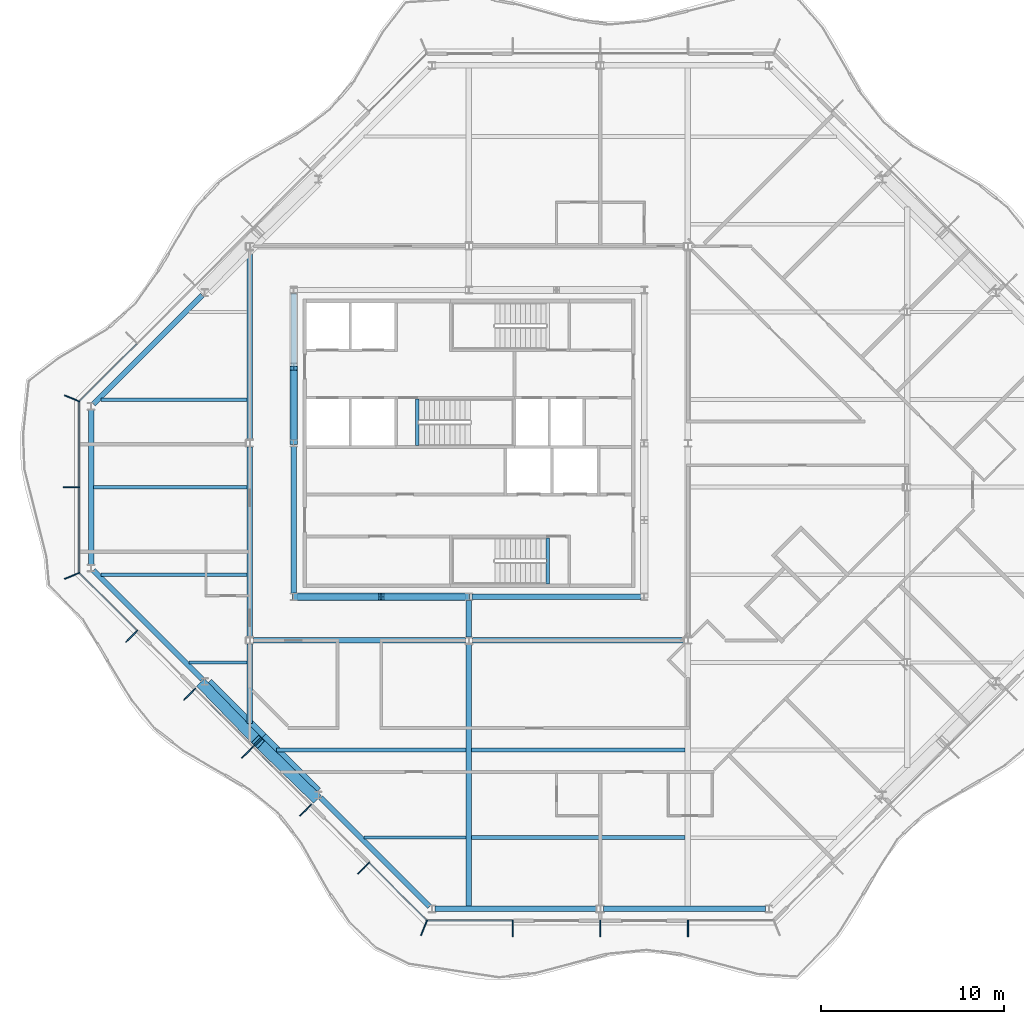
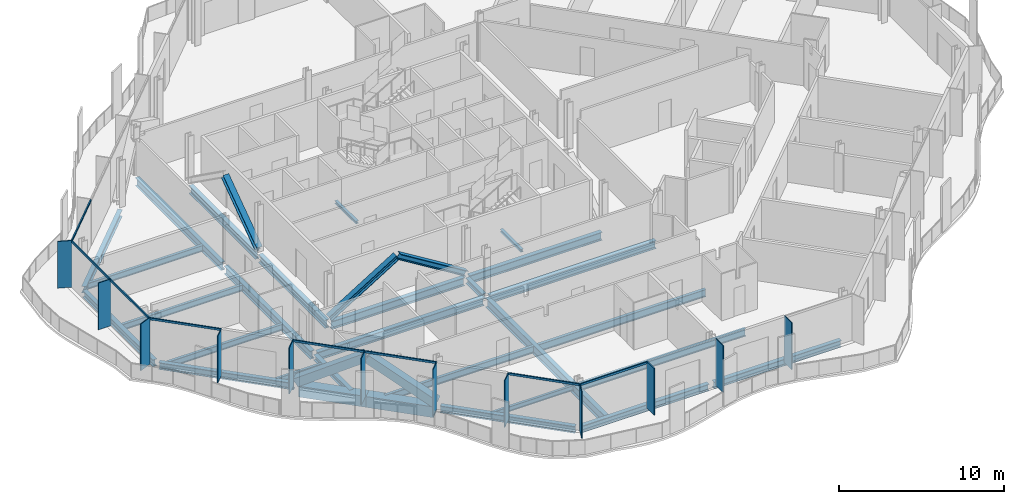
# One storey, part 3 of 17: 29 beams, 25 members, 4 elements without a shape of their own.
"""IFC4 building model written with IfcOpenShell, lengths in metres."""

from ifc_helpers import new_model, si_unit, direction, frame, origin, origin_2d, place, context, subcontext, project, spatial, rectangle, hollow_rectangle, i_section, extrude, material, material_profile, profile_set, type_object, element, aggregate, save


model = new_model("IFC4")

# Units and contexts
model_context = context("Model", 3, precision=1e-05, world=origin(), true_north=direction((0.0, 1.0)))
body_context = subcontext(model_context, "Body", "Model", "MODEL_VIEW")
ifc_project = project(units=[si_unit("LENGTHUNIT", "METRE"), si_unit("AREAUNIT", "SQUARE_METRE"), si_unit("VOLUMEUNIT", "CUBIC_METRE"), si_unit("PLANEANGLEUNIT", "RADIAN"), si_unit("MASSUNIT", "GRAM", prefix="KILO")], contexts=[model_context])

# Site, building, storey
site_placement = place(None, origin())
site = spatial("IfcSite", under=ifc_project, at=site_placement, CompositionType="ELEMENT")
building_placement = place(site_placement, origin())
building = spatial("IfcBuilding", under=site, at=building_placement, Name="Cairn Pilgrim Tower", CompositionType="ELEMENT")
storey_placement = place(building_placement, frame((0.0, 0.0, 250.199951171875)))
storey = spatial("IfcBuildingStorey", under=building, at=storey_placement, Name="L64", CompositionType="ELEMENT", Elevation=250.199951171875)

# Members
ifc_material_1 = material(Name="Structural steel S460M", Category="steel")
ifc_material_profile_1 = material_profile(ifc_material_1, hollow_rectangle(XDim=0.60009765625, YDim=0.60009765625, WallThickness=0.034912109375, at=origin_2d()), Name="BOX 600x600x35")
ifc_profile_set_1 = profile_set([ifc_material_profile_1], Name="Structural steel S460M")
member_type_1 = type_object("IfcMemberType", Name="BOX 600x600x35 BRACE", PredefinedType="BRACE", material=ifc_profile_set_1)
for number, where, z_axis, x_axis, name in (
    (1, (-7.394775390625, -10.813232421875, 0.150146484375), (0.59315674176, -0.611821665796, 0.523296597512), (0.717973624454, 0.696070308653, 0.0), "XB-SW2-SW3-1"),
    (2, (-1.213134765625, -16.99462890625, 0.150146484375), (-0.611821665796, 0.59315674176, 0.523296597512), (-0.696070308653, -0.717973624454, 0.0), "XB-SW2-SW3-2"),
):
    element("IfcMember", number, at=place(storey_placement, frame(where, z_axis=z_axis, x_axis=x_axis)), inside=storey, type_object=member_type_1, Name=name, PredefinedType="BRACE", context=body_context, shape_type="SweptSolid", body=[
        extrude(hollow_rectangle(XDim=0.60009765625, YDim=0.60009765625, WallThickness=0.034912109375, at=origin_2d()), origin(), (0.0, 0.0, 1.0), 5.035888671875),
    ])

# Beams
ifc_material_2 = material(Name="Structural steel S355J2", Category="steel")
ifc_material_profile_2 = material_profile(ifc_material_2, hollow_rectangle(XDim=0.699951171875, YDim=0.800048828125, WallThickness=0.0400390625, at=origin_2d()), Name="BOX 700x800x40")
ifc_profile_set_2 = profile_set([ifc_material_profile_2], Name="Structural steel S355J2")
beam_type_1 = type_object("IfcBeamType", Name="BOX 700x800x40 RING GIRDER", PredefinedType="SPANDREL", material=ifc_profile_set_2)
for number, where, z_axis, x_axis, name in (
    (3, (-7.147216796875, -10.780029296875, -0.550048828125), (0.707106781187, -0.707106781187, 0.0), (0.707106781187, 0.707106781187, 0.0), "RG3-SW2-SW3-1"),
    (4, (-4.16357421875, -13.763671875, -0.550048828125), (0.707106781187, -0.707106781187, 0.0), (0.707106781187, 0.707106781187, 0.0), "RG3-SW2-SW3-2"),
):
    element("IfcBeam", number, at=place(storey_placement, frame(where, z_axis=z_axis, x_axis=x_axis)), inside=storey, type_object=beam_type_1, Name=name, PredefinedType="SPANDREL", context=body_context, shape_type="SweptSolid", body=[
        extrude(hollow_rectangle(XDim=0.699951171875, YDim=0.800048828125, WallThickness=0.0400390625, at=origin_2d()), origin(), (0.0, 0.0, 1.0), 4.219482421875),
    ])

# Curtain wall, members
ifc_material_3 = material(Name="Aluminium alloy 6063-T6 bronze anodised with Bronze tinted laminated low-E glass 8+16+8.8", Category="aluminium")
curtain_wall_type_1 = type_object("IfcCurtainWallType", Name="TOWER STICK CURTAIN WALL NS", PredefinedType="NOTDEFINED", material=ifc_material_3)
curtain_wall_1_placement = place(storey_placement, origin())
curtain_wall_1 = element("IfcCurtainWall", 5, at=curtain_wall_1_placement, inside=storey, type_object=curtain_wall_type_1, Name="Tower Stick Curtain Wall Ns S", PredefinedType="NOTDEFINED")
ifc_material_4 = material(Name="Aluminium alloy 6063-T6 bronze anodised", Category="aluminium")
ifc_material_profile_3 = material_profile(ifc_material_4, rectangle(XDim=0.89990234375, YDim=0.06005859375, at=origin_2d()), Name="FIN MULLION 60x900 BRONZE")
ifc_profile_set_3 = profile_set([ifc_material_profile_3], Name="Aluminium alloy 6063-T6 bronze anodised")
member_type_2 = type_object("IfcMemberType", Name="FIN MULLION 60x900 BRONZE", PredefinedType="MULLION", material=ifc_profile_set_3)
member_1_placement = place(storey_placement, frame((4.742919921875, -24.137939453125, 0.0), z_axis=(0.0, 0.0, 1.0), x_axis=(-0.382683432365, -0.923879532511, 0.0)))
member_1 = element("IfcMember", 6, at=member_1_placement, type_object=member_type_2, Name="Fin mullion S1", PredefinedType="MULLION", context=body_context, shape_type="SweptSolid", body=[
    extrude(rectangle(XDim=0.89990234375, YDim=0.06005859375, at=origin_2d()), origin(), (0.0, 0.0, 1.0), 3.449951171875),
])
member_2_placement = place(storey_placement, frame((9.60009765625, -24.169921875, 0.0), z_axis=(0.0, 0.0, 1.0), x_axis=(0.0, -1.0, 0.0)))
member_2 = element("IfcMember", 7, at=member_2_placement, type_object=member_type_2, Name="Fin mullion S2", PredefinedType="MULLION", context=body_context, shape_type="SweptSolid", body=[
    extrude(rectangle(XDim=0.89990234375, YDim=0.06005859375, at=origin_2d()), origin(), (0.0, 0.0, 1.0), 3.449951171875),
])
member_3_placement = place(storey_placement, frame((14.39990234375, -24.169921875, 0.0), z_axis=(0.0, 0.0, 1.0), x_axis=(0.0, -1.0, 0.0)))
member_3 = element("IfcMember", 8, at=member_3_placement, type_object=member_type_2, Name="Fin mullion S3", PredefinedType="MULLION", context=body_context, shape_type="SweptSolid", body=[
    extrude(rectangle(XDim=0.89990234375, YDim=0.06005859375, at=origin_2d()), origin(), (0.0, 0.0, 1.0), 3.449951171875),
])
member_4_placement = place(storey_placement, frame((19.199951171875, -24.169921875, 0.0), z_axis=(0.0, 0.0, 1.0), x_axis=(0.0, -1.0, 0.0)))
member_4 = element("IfcMember", 9, at=member_4_placement, type_object=member_type_2, Name="Fin mullion S4", PredefinedType="MULLION", context=body_context, shape_type="SweptSolid", body=[
    extrude(rectangle(XDim=0.89990234375, YDim=0.06005859375, at=origin_2d()), origin(), (0.0, 0.0, 1.0), 3.449951171875),
])

curtain_wall_type_2 = type_object("IfcCurtainWallType", Name="TOWER STICK CURTAIN WALL EW", PredefinedType="NOTDEFINED", material=ifc_material_3)
curtain_wall_2_placement = place(storey_placement, origin())
curtain_wall_2 = element("IfcCurtainWall", 10, at=curtain_wall_2_placement, inside=storey, type_object=curtain_wall_type_2, Name="Tower Stick Curtain Wall Ew W", PredefinedType="NOTDEFINED")
member_5_placement = place(storey_placement, frame((-14.5380859375, 4.857177734375, 0.0), z_axis=(0.0, 0.0, 1.0), x_axis=(-0.923879532511, 0.382683432365, 0.0)))
member_5 = element("IfcMember", 11, at=member_5_placement, type_object=member_type_2, Name="Fin mullion W1", PredefinedType="MULLION", context=body_context, shape_type="SweptSolid", body=[
    extrude(rectangle(XDim=0.89990234375, YDim=0.06005859375, at=origin_2d()), origin(), (0.0, 0.0, 1.0), 3.449951171875),
])
member_6_placement = place(storey_placement, frame((-14.570068359375, 0.0, 0.0), z_axis=(0.0, 0.0, 1.0), x_axis=(-1.0, 0.0, 0.0)))
member_6 = element("IfcMember", 12, at=member_6_placement, type_object=member_type_2, Name="Fin mullion W2", PredefinedType="MULLION", context=body_context, shape_type="SweptSolid", body=[
    extrude(rectangle(XDim=0.89990234375, YDim=0.06005859375, at=origin_2d()), origin(), (0.0, 0.0, 1.0), 3.449951171875),
])

curtain_wall_type_3 = type_object("IfcCurtainWallType", Name="CHAMFER CORNER CURTAIN WALL", PredefinedType="NOTDEFINED", material=ifc_material_3)
curtain_wall_3_placement = place(storey_placement, origin())
curtain_wall_3 = element("IfcCurtainWall", 13, at=curtain_wall_3_placement, inside=storey, type_object=curtain_wall_type_3, Name="Chamfer Corner Curtain Wall SW", PredefinedType="NOTDEFINED")
member_7_placement = place(storey_placement, frame((-14.5380859375, -4.857177734375, 0.0), z_axis=(0.0, 0.0, 1.0), x_axis=(-0.923879532511, -0.382683432365, 0.0)))
member_7 = element("IfcMember", 14, at=member_7_placement, type_object=member_type_2, Name="Fin mullion SW1", PredefinedType="MULLION", context=body_context, shape_type="SweptSolid", body=[
    extrude(rectangle(XDim=0.89990234375, YDim=0.06005859375, at=origin_2d()), origin(), (0.0, 0.0, 1.0), 3.449951171875),
])
member_8_placement = place(storey_placement, frame((-11.271484375, -8.1689453125, 0.0), z_axis=(0.0, 0.0, 1.0), x_axis=(-0.707106781187, -0.707106781187, 0.0)))
member_8 = element("IfcMember", 15, at=member_8_placement, type_object=member_type_2, Name="Fin mullion SW2", PredefinedType="MULLION", context=body_context, shape_type="SweptSolid", body=[
    extrude(rectangle(XDim=0.89990234375, YDim=0.06005859375, at=origin_2d()), origin(), (0.0, 0.0, 1.0), 3.449951171875),
])
member_9_placement = place(storey_placement, frame((-8.095703125, -11.3447265625, 0.0), z_axis=(0.0, 0.0, 1.0), x_axis=(-0.707106781187, -0.707106781187, 0.0)))
member_9 = element("IfcMember", 16, at=member_9_placement, type_object=member_type_2, Name="Fin mullion SW3", PredefinedType="MULLION", context=body_context, shape_type="SweptSolid", body=[
    extrude(rectangle(XDim=0.89990234375, YDim=0.06005859375, at=origin_2d()), origin(), (0.0, 0.0, 1.0), 3.449951171875),
])
member_10_placement = place(storey_placement, frame((-4.920166015625, -14.520263671875, 0.0), z_axis=(0.0, 0.0, 1.0), x_axis=(-0.707106781187, -0.707106781187, 0.0)))
member_10 = element("IfcMember", 17, at=member_10_placement, type_object=member_type_2, Name="Fin mullion SW4", PredefinedType="MULLION", context=body_context, shape_type="SweptSolid", body=[
    extrude(rectangle(XDim=0.89990234375, YDim=0.06005859375, at=origin_2d()), origin(), (0.0, 0.0, 1.0), 3.449951171875),
])
member_11_placement = place(storey_placement, frame((-1.74462890625, -17.69580078125, 0.0), z_axis=(0.0, 0.0, 1.0), x_axis=(-0.707106781187, -0.707106781187, 0.0)))
member_11 = element("IfcMember", 18, at=member_11_placement, type_object=member_type_2, Name="Fin mullion SW5", PredefinedType="MULLION", context=body_context, shape_type="SweptSolid", body=[
    extrude(rectangle(XDim=0.89990234375, YDim=0.06005859375, at=origin_2d()), origin(), (0.0, 0.0, 1.0), 3.449951171875),
])
member_12_placement = place(storey_placement, frame((1.430908203125, -20.871337890625, 0.0), z_axis=(0.0, 0.0, 1.0), x_axis=(-0.707106781187, -0.707106781187, 0.0)))
member_12 = element("IfcMember", 19, at=member_12_placement, type_object=member_type_2, Name="Fin mullion SW6", PredefinedType="MULLION", context=body_context, shape_type="SweptSolid", body=[
    extrude(rectangle(XDim=0.89990234375, YDim=0.06005859375, at=origin_2d()), origin(), (0.0, 0.0, 1.0), 3.449951171875),
])

# Members
ifc_material_profile_4 = material_profile(ifc_material_2, i_section(OverallWidth=0.39794921875, OverallDepth=0.386962890625, WebThickness=0.02099609375, FlangeThickness=0.033203125, FilletRadius=0.014892578125, at=origin_2d()), Name="HD 400x262")
ifc_profile_set_4 = profile_set([ifc_material_profile_4], Name="Structural steel S355J2")
member_type_3 = type_object("IfcMemberType", Name="HD 400x262 BRACE", PredefinedType="BRACE", material=ifc_profile_set_4)
for number, where, z_axis, x_axis, name in (
    (20, (-2.360107421875, -6.0, 0.10009765625), (0.85121689147, 0.0, 0.524814065814), (0.0, 1.0, 0.0), "KB-1A"),
    (21, (7.16015625, -6.0, 0.10009765625), (-0.85121689147, 0.0, 0.524814065814), (0.0, -1.0, 0.0), "KB-1B"),
):
    element("IfcMember", number, at=place(storey_placement, frame(where, z_axis=z_axis, x_axis=x_axis)), inside=storey, type_object=member_type_3, Name=name, PredefinedType="BRACE", context=body_context, shape_type="SweptSolid", body=[
        extrude(i_section(OverallWidth=0.39794921875, OverallDepth=0.386962890625, WebThickness=0.02099609375, FlangeThickness=0.033203125, FilletRadius=0.014892578125, at=origin_2d()), origin(), (0.0, 0.0, 1.0), 5.52978515625),
    ])
member_13_placement = place(storey_placement, frame((-2.39990234375, 2.439697265625, 0.10009765625), z_axis=(0.0, 0.814462005215, 0.580216892258), x_axis=(-1.0, 0.0, 0.0)))
element("IfcMember", 22, at=member_13_placement, inside=storey, type_object=member_type_3, Name="KB-4B", PredefinedType="BRACE", context=body_context, shape_type="SweptSolid", body=[
    extrude(i_section(OverallWidth=0.39794921875, OverallDepth=0.386962890625, WebThickness=0.02099609375, FlangeThickness=0.033203125, FilletRadius=0.014892578125, at=origin_2d()), origin(), (0.0, 0.0, 1.0), 4.999755859375),
])

# Beams
ifc_material_profile_5 = material_profile(ifc_material_2, i_section(OverallWidth=0.300048828125, OverallDepth=0.39990234375, WebThickness=0.013427734375, FlangeThickness=0.02392578125, FilletRadius=0.027099609375, at=origin_2d()), Name="HEB 400")
ifc_profile_set_5 = profile_set([ifc_material_profile_5], Name="Structural steel S355J2")
beam_type_2 = type_object("IfcBeamType", Name="HEB 400 GIRDER", PredefinedType="BEAM", material=ifc_profile_set_5)
beam_1_placement = place(storey_placement, frame((-4.800048828125, -12.945068359375, -0.349853515625), z_axis=(0.0, 1.0, 0.0), x_axis=(-1.0, 0.0, 0.0)))
element("IfcBeam", 23, at=beam_1_placement, inside=storey, type_object=beam_type_2, Name="PG2-1", PredefinedType="BEAM", context=body_context, shape_type="SweptSolid", body=[
    extrude(i_section(OverallWidth=0.300048828125, OverallDepth=0.39990234375, WebThickness=0.013427734375, FlangeThickness=0.02392578125, FilletRadius=0.027099609375, at=origin_2d()), origin(), (0.0, 0.0, 1.0), 4.34814453125),
])
beam_2_placement = place(storey_placement, frame((7.199951171875, -8.202880859375, -0.349853515625), z_axis=(0.0, 1.0, 0.0), x_axis=(-1.0, 0.0, 0.0)))
element("IfcBeam", 24, at=beam_2_placement, inside=storey, type_object=beam_type_2, Name="PG3-E1", PredefinedType="BEAM", context=body_context, shape_type="SweptSolid", body=[
    extrude(i_section(OverallWidth=0.300048828125, OverallDepth=0.39990234375, WebThickness=0.013427734375, FlangeThickness=0.02392578125, FilletRadius=0.027099609375, at=origin_2d()), origin(), (0.0, 0.0, 1.0), 2.00390625),
])
ifc_material_profile_6 = material_profile(ifc_material_2, i_section(OverallWidth=0.300048828125, OverallDepth=0.5, WebThickness=0.014404296875, FlangeThickness=0.028076171875, FilletRadius=0.027099609375, at=origin_2d()), Name="HEB 500")
ifc_profile_set_6 = profile_set([ifc_material_profile_6], Name="Structural steel S355J2")
beam_type_3 = type_object("IfcBeamType", Name="HEB 500 RING GIRDER", PredefinedType="SPANDREL", material=ifc_profile_set_6)
beam_3_placement = place(storey_placement, frame((5.3544921875, -23.10009765625, -0.39990234375), z_axis=(1.0, 0.0, 0.0), x_axis=(0.0, 1.0, 0.0)))
element("IfcBeam", 25, at=beam_3_placement, inside=storey, type_object=beam_type_3, Name="RG3-S1-S2", PredefinedType="SPANDREL", context=body_context, shape_type="SweptSolid", body=[
    extrude(i_section(OverallWidth=0.300048828125, OverallDepth=0.5, WebThickness=0.014404296875, FlangeThickness=0.028076171875, FilletRadius=0.027099609375, at=origin_2d()), origin(), (0.0, 0.0, 1.0), 8.86376953125),
])
beam_4_placement = place(storey_placement, frame((14.581787109375, -23.10009765625, -0.39990234375), z_axis=(1.0, 0.0, 0.0), x_axis=(0.0, 1.0, 0.0)))
element("IfcBeam", 26, at=beam_4_placement, inside=storey, type_object=beam_type_3, Name="RG3-S2-SE1", PredefinedType="SPANDREL", context=body_context, shape_type="SweptSolid", body=[
    extrude(i_section(OverallWidth=0.300048828125, OverallDepth=0.5, WebThickness=0.014404296875, FlangeThickness=0.028076171875, FilletRadius=0.027099609375, at=origin_2d()), origin(), (0.0, 0.0, 1.0), 8.863525390625),
])
beam_5_placement = place(storey_placement, frame((-7.404296875, 10.52294921875, -0.39990234375), z_axis=(-0.707106781187, -0.707106781187, 0.0), x_axis=(0.707106781187, -0.707106781187, 0.0)))
element("IfcBeam", 27, at=beam_5_placement, inside=storey, type_object=beam_type_3, Name="RG3-NW3-W1", PredefinedType="SPANDREL", context=body_context, shape_type="SweptSolid", body=[
    extrude(i_section(OverallWidth=0.300048828125, OverallDepth=0.5, WebThickness=0.014404296875, FlangeThickness=0.028076171875, FilletRadius=0.027099609375, at=origin_2d()), origin(), (0.0, 0.0, 1.0), 8.438720703125),
])
beam_6_placement = place(storey_placement, frame((-13.5, 4.245361328125, -0.39990234375), z_axis=(0.0, -1.0, 0.0), x_axis=(1.0, 0.0, 0.0)))
element("IfcBeam", 28, at=beam_6_placement, inside=storey, type_object=beam_type_3, Name="RG3-W1-SW1", PredefinedType="SPANDREL", context=body_context, shape_type="SweptSolid", body=[
    extrude(i_section(OverallWidth=0.300048828125, OverallDepth=0.5, WebThickness=0.014404296875, FlangeThickness=0.028076171875, FilletRadius=0.027099609375, at=origin_2d()), origin(), (0.0, 0.0, 1.0), 8.49072265625),
])
for number, where, z_axis, x_axis, name in (
    (29, (-13.371337890625, -4.555908203125, -0.39990234375), (0.707106781187, -0.707106781187, 0.0), (0.707106781187, 0.707106781187, 0.0), "RG3-SW1-SW2"),
    (30, (-0.9228515625, -17.00439453125, -0.39990234375), (0.707106781187, -0.707106781187, 0.0), (0.707106781187, 0.707106781187, 0.0), "RG3-SW3-S1"),
):
    element("IfcBeam", number, at=place(storey_placement, frame(where, z_axis=z_axis, x_axis=x_axis)), inside=storey, type_object=beam_type_3, Name=name, PredefinedType="SPANDREL", context=body_context, shape_type="SweptSolid", body=[
        extrude(i_section(OverallWidth=0.300048828125, OverallDepth=0.5, WebThickness=0.014404296875, FlangeThickness=0.028076171875, FilletRadius=0.027099609375, at=origin_2d()), origin(), (0.0, 0.0, 1.0), 8.438720703125),
    ])
ifc_material_profile_7 = material_profile(ifc_material_2, i_section(OverallWidth=0.300048828125, OverallDepth=0.60009765625, WebThickness=0.015380859375, FlangeThickness=0.030029296875, FilletRadius=0.027099609375, at=origin_2d()), Name="HEB 600")
ifc_profile_set_7 = profile_set([ifc_material_profile_7], Name="Structural steel S355J2")
beam_type_4 = type_object("IfcBeamType", Name="HEB 600 CORE BEAM", PredefinedType="BEAM", material=ifc_profile_set_7)
beam_7_placement = place(storey_placement, frame((-2.220947265625, -6.0, -0.449951171875), z_axis=(1.0, 0.0, 0.0), x_axis=(0.0, 1.0, 0.0)))
element("IfcBeam", 31, at=beam_7_placement, inside=storey, type_object=beam_type_4, Name="CB-1", PredefinedType="BEAM", context=body_context, shape_type="SweptSolid", body=[
    extrude(i_section(OverallWidth=0.300048828125, OverallDepth=0.60009765625, WebThickness=0.015380859375, FlangeThickness=0.030029296875, FilletRadius=0.027099609375, at=origin_2d()), origin(), (0.0, 0.0, 1.0), 9.241943359375),
])
beam_8_placement = place(storey_placement, frame((7.379150390625, -6.0, -0.449951171875), z_axis=(1.0, 0.0, 0.0), x_axis=(0.0, 1.0, 0.0)))
element("IfcBeam", 32, at=beam_8_placement, inside=storey, type_object=beam_type_4, Name="CB-2", PredefinedType="BEAM", context=body_context, shape_type="SweptSolid", body=[
    extrude(i_section(OverallWidth=0.300048828125, OverallDepth=0.60009765625, WebThickness=0.015380859375, FlangeThickness=0.030029296875, FilletRadius=0.027099609375, at=origin_2d()), origin(), (0.0, 0.0, 1.0), 9.24169921875),
])
for number, where, z_axis, x_axis, name in (
    (33, (-2.39990234375, 10.620849609375, -0.449951171875), (0.0, -1.0, 0.0), (1.0, 0.0, 0.0), "CB-7"),
    (34, (-2.39990234375, 2.220947265625, -0.449951171875), (0.0, -1.0, 0.0), (1.0, 0.0, 0.0), "CB-8"),
):
    element("IfcBeam", number, at=place(storey_placement, frame(where, z_axis=z_axis, x_axis=x_axis)), inside=storey, type_object=beam_type_4, Name=name, PredefinedType="BEAM", context=body_context, shape_type="SweptSolid", body=[
        extrude(i_section(OverallWidth=0.300048828125, OverallDepth=0.60009765625, WebThickness=0.015380859375, FlangeThickness=0.030029296875, FilletRadius=0.027099609375, at=origin_2d()), origin(), (0.0, 0.0, 1.0), 8.041748046875),
    ])
ifc_material_profile_8 = material_profile(ifc_material_2, i_section(OverallWidth=0.300048828125, OverallDepth=0.60009765625, WebThickness=0.015380859375, FlangeThickness=0.030029296875, FilletRadius=0.027099609375, at=origin_2d()), Name="HEB 600")
ifc_profile_set_8 = profile_set([ifc_material_profile_8], Name="Structural steel S355J2")
beam_type_5 = type_object("IfcBeamType", Name="HEB 600 GIRDER", PredefinedType="BEAM", material=ifc_profile_set_8)
beam_9_placement = place(storey_placement, frame((-4.800048828125, -8.202880859375, -0.449951171875), z_axis=(0.0, 1.0, 0.0), x_axis=(-1.0, 0.0, 0.0)))
element("IfcBeam", 35, at=beam_9_placement, inside=storey, type_object=beam_type_5, Name="PG2-2", PredefinedType="BEAM", context=body_context, shape_type="SweptSolid", body=[
    extrude(i_section(OverallWidth=0.300048828125, OverallDepth=0.60009765625, WebThickness=0.015380859375, FlangeThickness=0.030029296875, FilletRadius=0.027099609375, at=origin_2d()), origin(), (0.0, 0.0, 1.0), 10.40576171875),
])
beam_10_placement = place(storey_placement, frame((-4.800048828125, 2.596923828125, -0.449951171875), z_axis=(0.0, 1.0, 0.0), x_axis=(-1.0, 0.0, 0.0)))
element("IfcBeam", 36, at=beam_10_placement, inside=storey, type_object=beam_type_5, Name="PG2-3", PredefinedType="BEAM", context=body_context, shape_type="SweptSolid", body=[
    extrude(i_section(OverallWidth=0.300048828125, OverallDepth=0.60009765625, WebThickness=0.015380859375, FlangeThickness=0.030029296875, FilletRadius=0.027099609375, at=origin_2d()), origin(), (0.0, 0.0, 1.0), 10.34814453125),
])
ifc_material_profile_9 = material_profile(ifc_material_2, i_section(OverallWidth=0.300048828125, OverallDepth=0.60009765625, WebThickness=0.015380859375, FlangeThickness=0.030029296875, FilletRadius=0.027099609375, at=origin_2d()), Name="HEB 600")
ifc_profile_set_9 = profile_set([ifc_material_profile_9], Name="Structural steel S355J2")
beam_type_6 = type_object("IfcBeamType", Name="HEB 600 INNER GIRDER", PredefinedType="BEAM", material=ifc_profile_set_9)
for number, where, z_axis, x_axis, name in (
    (37, (-4.60302734375, -8.39990234375, -0.449951171875), (1.0, 0.0, 0.0), (0.0, 1.0, 0.0), "IG1-1"),
    (38, (7.39697265625, -8.39990234375, -0.449951171875), (1.0, 0.0, 0.0), (0.0, 1.0, 0.0), "IG1-2"),
):
    element("IfcBeam", number, at=place(storey_placement, frame(where, z_axis=z_axis, x_axis=x_axis)), inside=storey, type_object=beam_type_6, Name=name, PredefinedType="BEAM", context=body_context, shape_type="SweptSolid", body=[
        extrude(i_section(OverallWidth=0.300048828125, OverallDepth=0.60009765625, WebThickness=0.015380859375, FlangeThickness=0.030029296875, FilletRadius=0.027099609375, at=origin_2d()), origin(), (0.0, 0.0, 1.0), 11.60595703125),
    ])
ifc_material_profile_10 = material_profile(ifc_material_2, i_section(OverallWidth=0.300048828125, OverallDepth=0.699951171875, WebThickness=0.01708984375, FlangeThickness=0.031982421875, FilletRadius=0.027099609375, at=origin_2d()), Name="HEB 700")
ifc_profile_set_10 = profile_set([ifc_material_profile_10], Name="Structural steel S355J2")
beam_type_7 = type_object("IfcBeamType", Name="HEB 700 GIRDER", PredefinedType="BEAM", material=ifc_profile_set_10)
beam_11_placement = place(storey_placement, frame((7.199951171875, -22.97998046875, -0.5), z_axis=(0.0, 1.0, 0.0), x_axis=(-1.0, 0.0, 0.0)))
element("IfcBeam", 39, at=beam_11_placement, inside=storey, type_object=beam_type_7, Name="PG3-1", PredefinedType="BEAM", context=body_context, shape_type="SweptSolid", body=[
    extrude(i_section(OverallWidth=0.300048828125, OverallDepth=0.699951171875, WebThickness=0.01708984375, FlangeThickness=0.031982421875, FilletRadius=0.027099609375, at=origin_2d()), origin(), (0.0, 0.0, 1.0), 14.383056640625),
])
ifc_material_profile_11 = material_profile(ifc_material_2, i_section(OverallWidth=0.169921875, OverallDepth=0.360107421875, WebThickness=0.008056640625, FlangeThickness=0.0126953125, FilletRadius=0.01806640625, at=origin_2d()), Name="IPE 360")
ifc_profile_set_11 = profile_set([ifc_material_profile_11], Name="Structural steel S355J2")
beam_type_8 = type_object("IfcBeamType", Name="IPE 360 SECONDARY BEAM", PredefinedType="JOIST", material=ifc_profile_set_11)
beam_12_placement = place(storey_placement, frame((1.454833984375, -19.199951171875, -0.329833984375), z_axis=(1.0, 0.0, 0.0), x_axis=(0.0, 1.0, 0.0)))
element("IfcBeam", 40, at=beam_12_placement, inside=storey, type_object=beam_type_8, Name="SB1-1", PredefinedType="JOIST", context=body_context, shape_type="SweptSolid", body=[
    extrude(i_section(OverallWidth=0.169921875, OverallDepth=0.360107421875, WebThickness=0.008056640625, FlangeThickness=0.0126953125, FilletRadius=0.01806640625, at=origin_2d()), origin(), (0.0, 0.0, 1.0), 5.59521484375),
])
beam_13_placement = place(storey_placement, frame((-8.14501953125, -9.60009765625, -0.329833984375), z_axis=(1.0, 0.0, 0.0), x_axis=(0.0, 1.0, 0.0)))
element("IfcBeam", 41, at=beam_13_placement, inside=storey, type_object=beam_type_8, Name="SB3-1", PredefinedType="JOIST", context=body_context, shape_type="SweptSolid", body=[
    extrude(i_section(OverallWidth=0.169921875, OverallDepth=0.360107421875, WebThickness=0.008056640625, FlangeThickness=0.0126953125, FilletRadius=0.01806640625, at=origin_2d()), origin(), (0.0, 0.0, 1.0), 3.195068359375),
])
ifc_material_profile_12 = material_profile(ifc_material_2, i_section(OverallWidth=0.18994140625, OverallDepth=0.449951171875, WebThickness=0.009521484375, FlangeThickness=0.0146484375, FilletRadius=0.02099609375, at=origin_2d()), Name="IPE 450")
ifc_profile_set_12 = profile_set([ifc_material_profile_12], Name="Structural steel S355J2")
beam_type_9 = type_object("IfcBeamType", Name="IPE 450 SECONDARY BEAM", PredefinedType="JOIST", material=ifc_profile_set_12)
beam_14_placement = place(storey_placement, frame((-12.945068359375, -4.800048828125, -0.375), z_axis=(1.0, 0.0, 0.0), x_axis=(0.0, 1.0, 0.0)))
element("IfcBeam", 42, at=beam_14_placement, inside=storey, type_object=beam_type_9, Name="SB4-1", PredefinedType="JOIST", context=body_context, shape_type="SweptSolid", body=[
    extrude(i_section(OverallWidth=0.18994140625, OverallDepth=0.449951171875, WebThickness=0.009521484375, FlangeThickness=0.0146484375, FilletRadius=0.02099609375, at=origin_2d()), origin(), (0.0, 0.0, 1.0), 7.9951171875),
])
beam_15_placement = place(storey_placement, frame((-13.3798828125, 0.0, -0.375), z_axis=(1.0, 0.0, 0.0), x_axis=(0.0, 1.0, 0.0)))
element("IfcBeam", 43, at=beam_15_placement, inside=storey, type_object=beam_type_9, Name="SB5-1", PredefinedType="JOIST", context=body_context, shape_type="SweptSolid", body=[
    extrude(i_section(OverallWidth=0.18994140625, OverallDepth=0.449951171875, WebThickness=0.009521484375, FlangeThickness=0.0146484375, FilletRadius=0.02099609375, at=origin_2d()), origin(), (0.0, 0.0, 1.0), 8.429931640625),
])
beam_16_placement = place(storey_placement, frame((-12.945068359375, 4.800048828125, -0.375), z_axis=(1.0, 0.0, 0.0), x_axis=(0.0, 1.0, 0.0)))
element("IfcBeam", 44, at=beam_16_placement, inside=storey, type_object=beam_type_9, Name="SB6-1", PredefinedType="JOIST", context=body_context, shape_type="SweptSolid", body=[
    extrude(i_section(OverallWidth=0.18994140625, OverallDepth=0.449951171875, WebThickness=0.009521484375, FlangeThickness=0.0146484375, FilletRadius=0.02099609375, at=origin_2d()), origin(), (0.0, 0.0, 1.0), 7.9951171875),
])
ifc_material_profile_13 = material_profile(ifc_material_2, i_section(OverallWidth=0.199951171875, OverallDepth=0.5, WebThickness=0.01025390625, FlangeThickness=0.01611328125, FilletRadius=0.02099609375, at=origin_2d()), Name="IPE 500")
ifc_profile_set_13 = profile_set([ifc_material_profile_13], Name="Structural steel S355J2")
beam_type_10 = type_object("IfcBeamType", Name="IPE 500 SECONDARY BEAM", PredefinedType="JOIST", material=ifc_profile_set_13)
beam_17_placement = place(storey_placement, frame((-3.34521484375, -14.39990234375, -0.39990234375), z_axis=(1.0, 0.0, 0.0), x_axis=(0.0, 1.0, 0.0)))
element("IfcBeam", 45, at=beam_17_placement, inside=storey, type_object=beam_type_10, Name="SB2-1", PredefinedType="JOIST", context=body_context, shape_type="SweptSolid", body=[
    extrude(i_section(OverallWidth=0.199951171875, OverallDepth=0.5, WebThickness=0.01025390625, FlangeThickness=0.01611328125, FilletRadius=0.02099609375, at=origin_2d()), origin(), (0.0, 0.0, 1.0), 10.395263671875),
])
ifc_material_profile_14 = material_profile(ifc_material_2, i_section(OverallWidth=0.2099609375, OverallDepth=0.550048828125, WebThickness=0.010986328125, FlangeThickness=0.01708984375, FilletRadius=0.02392578125, at=origin_2d()), Name="IPE 550")
ifc_profile_set_14 = profile_set([ifc_material_profile_14], Name="Structural steel S355J2")
beam_type_11 = type_object("IfcBeamType", Name="IPE 550 SECONDARY BEAM", PredefinedType="JOIST", material=ifc_profile_set_14)
for number, where, z_axis, x_axis, name in (
    (46, (7.35009765625, -19.199951171875, -0.425048828125), (1.0, 0.0, 0.0), (0.0, 1.0, 0.0), "SB1-2"),
    (47, (7.35009765625, -14.39990234375, -0.425048828125), (1.0, 0.0, 0.0), (0.0, 1.0, 0.0), "SB2-2"),
):
    element("IfcBeam", number, at=place(storey_placement, frame(where, z_axis=z_axis, x_axis=x_axis)), inside=storey, type_object=beam_type_11, Name=name, PredefinedType="JOIST", context=body_context, shape_type="SweptSolid", body=[
        extrude(i_section(OverallWidth=0.2099609375, OverallDepth=0.550048828125, WebThickness=0.010986328125, FlangeThickness=0.01708984375, FilletRadius=0.02392578125, at=origin_2d()), origin(), (0.0, 0.0, 1.0), 11.699951171875),
    ])
ifc_material_profile_15 = material_profile(ifc_material_2, i_section(OverallWidth=0.199951171875, OverallDepth=0.199951171875, WebThickness=0.009033203125, FlangeThickness=0.014892578125, FilletRadius=0.01806640625, at=origin_2d()), Name="HE 200 B")
ifc_profile_set_15 = profile_set([ifc_material_profile_15], Name="Structural steel S355J2")
beam_type_12 = type_object("IfcBeamType", Name="STAIR LANDING BEAM HE 200 B", PredefinedType="BEAM", material=ifc_profile_set_15)
beam_18_placement = place(storey_placement, frame((11.5244140625, -2.77490234375, -0.25), z_axis=(0.0, -1.0, 0.0), x_axis=(1.0, 0.0, 0.0)))
element("IfcBeam", 48, at=beam_18_placement, inside=storey, type_object=beam_type_12, Name="STAIR LANDING BEAM LD-HE200B", PredefinedType="BEAM", context=body_context, shape_type="SweptSolid", body=[
    extrude(i_section(OverallWidth=0.199951171875, OverallDepth=0.199951171875, WebThickness=0.009033203125, FlangeThickness=0.014892578125, FilletRadius=0.01806640625, at=origin_2d()), origin(), (0.0, 0.0, 1.0), 2.525146484375),
])
beam_19_placement = place(storey_placement, frame((4.37548828125, 2.27490234375, -0.25), z_axis=(0.0, 1.0, 0.0), x_axis=(-1.0, 0.0, 0.0)))
element("IfcBeam", 49, at=beam_19_placement, inside=storey, type_object=beam_type_12, Name="STAIR LANDING BEAM LD-HE200B", PredefinedType="BEAM", context=body_context, shape_type="SweptSolid", body=[
    extrude(i_section(OverallWidth=0.199951171875, OverallDepth=0.199951171875, WebThickness=0.009033203125, FlangeThickness=0.014892578125, FilletRadius=0.01806640625, at=origin_2d()), origin(), (0.0, 0.0, 1.0), 2.550048828125),
])

# Member
ifc_material_profile_16 = material_profile(ifc_material_4, rectangle(XDim=0.080078125, YDim=0.14990234375, at=origin_2d()), Name="TRANSOM 80x150 BRONZE")
ifc_profile_set_16 = profile_set([ifc_material_profile_16], Name="Aluminium alloy 6063-T6 bronze anodised")
member_type_4 = type_object("IfcMemberType", Name="TRANSOM 80x150 BRONZE", PredefinedType="USERDEFINED", material=ifc_profile_set_16)
member_14_placement = place(storey_placement, frame((4.943603515625, -23.75, 3.375), z_axis=(1.0, 0.0, 0.0), x_axis=(0.0, 1.0, 0.0)))
member_14 = element("IfcMember", 50, at=member_14_placement, type_object=member_type_4, Name="Transom S1", ObjectType="TRANSOM", PredefinedType="USERDEFINED", context=body_context, shape_type="SweptSolid", body=[
    extrude(rectangle(XDim=0.080078125, YDim=0.14990234375, at=origin_2d()), origin(), (0.0, 0.0, 1.0), 4.62646484375),
])

aggregate(curtain_wall_1, [member_1, member_2, member_3, member_4, member_14])

# Curtain wall, member
curtain_wall_4_placement = place(storey_placement, origin())
curtain_wall_4 = element("IfcCurtainWall", 51, at=curtain_wall_4_placement, inside=storey, type_object=curtain_wall_type_3, Name="Chamfer Corner Curtain Wall NW", PredefinedType="NOTDEFINED")
member_15_placement = place(storey_placement, frame((-10.99560546875, 7.850830078125, 3.375), z_axis=(-0.707106781187, -0.707106781187, 0.0), x_axis=(0.707106781187, -0.707106781187, 0.0)))
member_15 = element("IfcMember", 52, at=member_15_placement, type_object=member_type_4, Name="Transom NW6", ObjectType="TRANSOM", PredefinedType="USERDEFINED", context=body_context, shape_type="SweptSolid", body=[
    extrude(rectangle(XDim=0.080078125, YDim=0.14990234375, at=origin_2d()), origin(), (0.0, 0.0, 1.0), 4.421142578125),
])
aggregate(curtain_wall_4, [member_15])

# Member
member_16_placement = place(storey_placement, frame((-14.14990234375, 4.656494140625, 3.375), z_axis=(0.0, -1.0, 0.0), x_axis=(1.0, 0.0, 0.0)))
member_16 = element("IfcMember", 53, at=member_16_placement, type_object=member_type_4, Name="Transom W1", ObjectType="TRANSOM", PredefinedType="USERDEFINED", context=body_context, shape_type="SweptSolid", body=[
    extrude(rectangle(XDim=0.080078125, YDim=0.14990234375, at=origin_2d()), origin(), (0.0, 0.0, 1.0), 4.62646484375),
])

member_17_placement = place(storey_placement, frame((-14.14990234375, -0.030029296875, 3.375), z_axis=(0.0, -1.0, 0.0), x_axis=(1.0, 0.0, 0.0)))
member_17 = element("IfcMember", 54, at=member_17_placement, type_object=member_type_4, Name="Transom W2", ObjectType="TRANSOM", PredefinedType="USERDEFINED", context=body_context, shape_type="SweptSolid", body=[
    extrude(rectangle(XDim=0.080078125, YDim=0.14990234375, at=origin_2d()), origin(), (0.0, 0.0, 1.0), 4.62646484375),
])

aggregate(curtain_wall_2, [member_5, member_6, member_16, member_17])

member_18_placement = place(storey_placement, frame((-14.121826171875, -4.724609375, 3.375), z_axis=(0.707106781187, -0.707106781187, 0.0), x_axis=(0.707106781187, 0.707106781187, 0.0)))
member_18 = element("IfcMember", 55, at=member_18_placement, type_object=member_type_4, Name="Transom SW1", ObjectType="TRANSOM", PredefinedType="USERDEFINED", context=body_context, shape_type="SweptSolid", body=[
    extrude(rectangle(XDim=0.080078125, YDim=0.14990234375, at=origin_2d()), origin(), (0.0, 0.0, 1.0), 4.421142578125),
])

member_19_placement = place(storey_placement, frame((-7.777587890625, -11.06884765625, 3.375), z_axis=(0.707106781187, -0.707106781187, 0.0), x_axis=(0.707106781187, 0.707106781187, 0.0)))
member_19 = element("IfcMember", 56, at=member_19_placement, type_object=member_type_4, Name="Transom SW3", ObjectType="TRANSOM", PredefinedType="USERDEFINED", context=body_context, shape_type="SweptSolid", body=[
    extrude(rectangle(XDim=0.080078125, YDim=0.14990234375, at=origin_2d()), origin(), (0.0, 0.0, 1.0), 4.430908203125),
])

member_20_placement = place(storey_placement, frame((-4.60205078125, -14.244384765625, 3.375), z_axis=(0.707106781187, -0.707106781187, 0.0), x_axis=(0.707106781187, 0.707106781187, 0.0)))
member_20 = element("IfcMember", 57, at=member_20_placement, type_object=member_type_4, Name="Transom SW4", ObjectType="TRANSOM", PredefinedType="USERDEFINED", context=body_context, shape_type="SweptSolid", body=[
    extrude(rectangle(XDim=0.080078125, YDim=0.14990234375, at=origin_2d()), origin(), (0.0, 0.0, 1.0), 4.43115234375),
])

member_21_placement = place(storey_placement, frame((1.749267578125, -20.595703125, 3.375), z_axis=(0.707106781187, -0.707106781187, 0.0), x_axis=(0.707106781187, 0.707106781187, 0.0)))
member_21 = element("IfcMember", 58, at=member_21_placement, type_object=member_type_4, Name="Transom SW6", ObjectType="TRANSOM", PredefinedType="USERDEFINED", context=body_context, shape_type="SweptSolid", body=[
    extrude(rectangle(XDim=0.080078125, YDim=0.14990234375, at=origin_2d()), origin(), (0.0, 0.0, 1.0), 4.4208984375),
])

aggregate(curtain_wall_3, [member_7, member_8, member_9, member_10, member_11, member_12, member_18, member_19, member_20, member_21])

save(model, "model.ifc")
